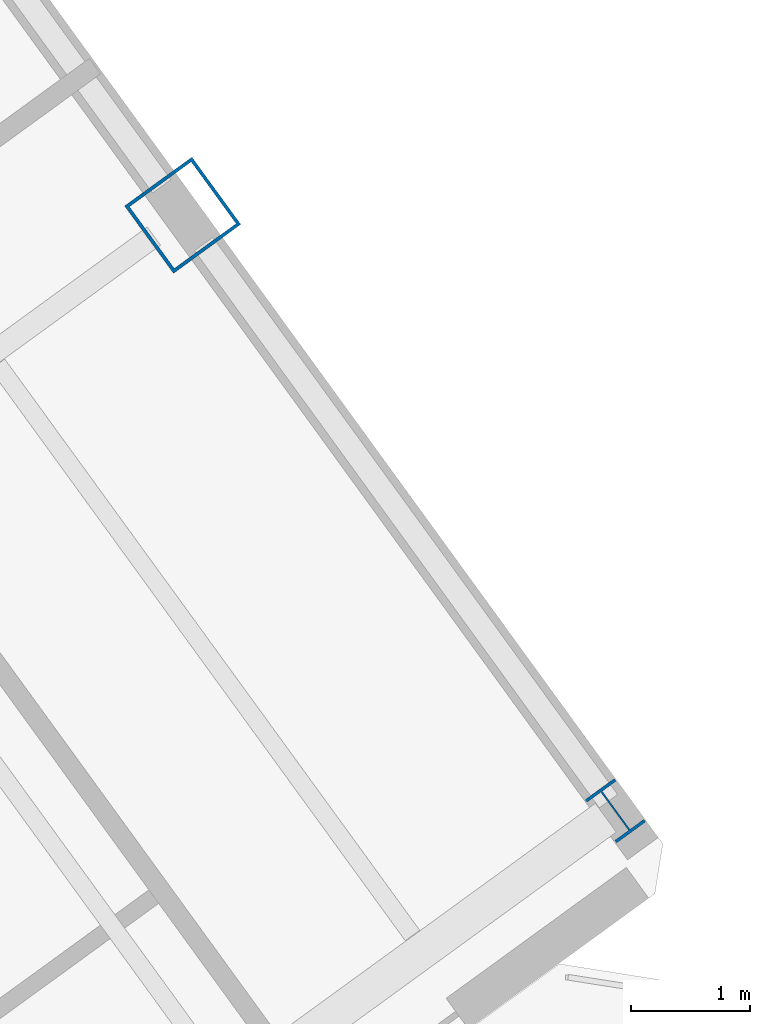
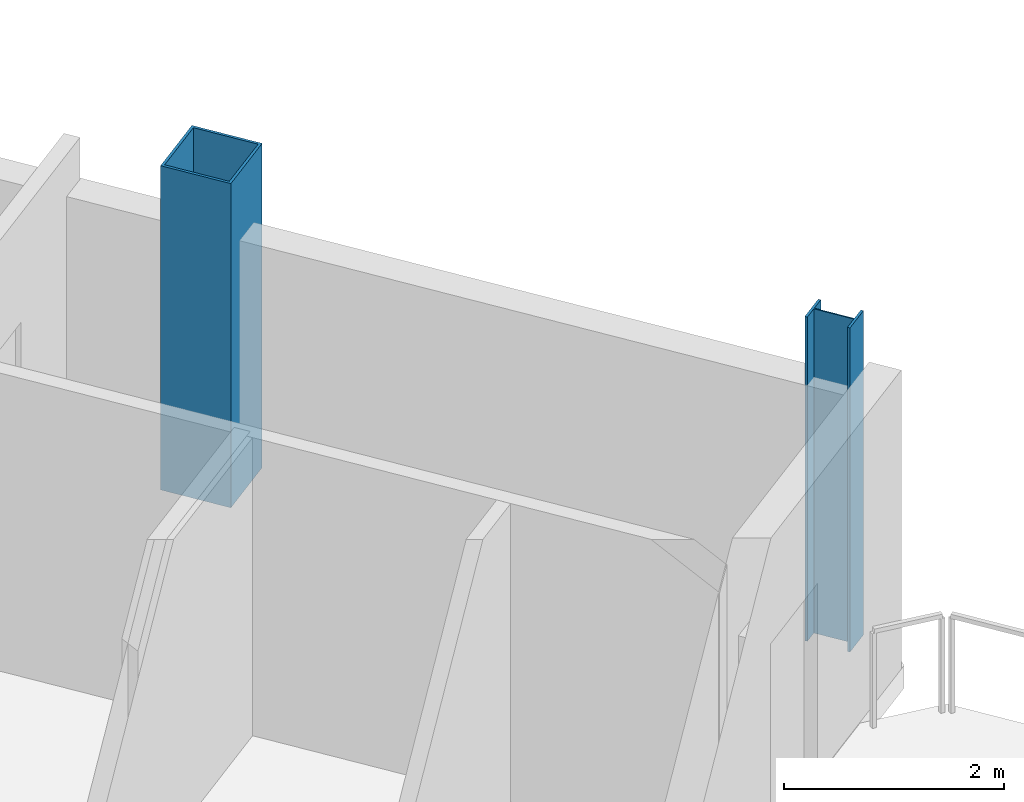
# One storey, part 4 of 25: 2 columns.
"""IFC4 building model written with IfcOpenShell, lengths in metres."""

import ifcopenshell
import ifcopenshell.guid

model = None  # the IFC model being written
_history = None  # IfcOwnerHistory: only IFC2X3 demands one
_inside = {}  # id of a spatial element -> (the spatial element, [elements in it])
_under = {}  # id of a project, library or spatial element -> (it, [spatial elements below it])
_declared = {}  # id of a project -> (the project, [libraries it declares])
_typed = {}  # id of a type object -> (the type object, [elements of that type])
_made_of = {}  # id of a material, layer set ... -> (it, [elements and type objects made of it])


def new_model(schema):
    """Start an empty IFC model of exactly this schema.

    Asked for "IFC4X3", IfcOpenShell would pick the latest addendum, in which some entities
    have other attributes; the version numbers below select the first issue.
    IFC2X3 requires an IfcOwnerHistory on every rooted entity: one is made here for all.
    """
    global model, _history
    if schema == "IFC4X3":
        model = ifcopenshell.file(schema_version=(4, 3, 0, 0))
    else:
        model = ifcopenshell.file(schema=schema)
    _inside.clear()
    _under.clear()
    _declared.clear()
    _typed.clear()
    _made_of.clear()
    _history = None
    if model.schema == "IFC2X3":
        org = make("IfcOrganization", Name="unknown")
        user = make(
            "IfcPersonAndOrganization",
            ThePerson=make("IfcPerson", FamilyName="unknown"),
            TheOrganization=org,
        )
        app = make(
            "IfcApplication",
            ApplicationDeveloper=org,
            Version="unknown",
            ApplicationFullName="unknown",
            ApplicationIdentifier="unknown",
        )
        _history = make(
            "IfcOwnerHistory",
            OwningUser=user,
            OwningApplication=app,
            ChangeAction="ADDED",
            CreationDate=0,
        )
    return model


def make(cls, **values):
    """One entity of the class cls with the attributes given. An attribute that is None is left unset."""
    return model.create_entity(
        cls, **{name: value for name, value in values.items() if value is not None}
    )


def rooted(cls, **values):
    """An entity with a GlobalId (a new one), such as an element, a storey or a relation."""
    return make(cls, GlobalId=ifcopenshell.guid.new(), OwnerHistory=_history, **values)


def si_unit(unit_type, name, prefix=None):
    """IfcSIUnit, for example si_unit("LENGTHUNIT", "METRE", prefix="MILLI")."""
    return make("IfcSIUnit", UnitType=unit_type, Prefix=prefix, Name=name)


def assignment(units):
    """IfcUnitAssignment: the units of a project."""
    return None if units is None else make("IfcUnitAssignment", Units=units)


def point(xyz):
    """IfcCartesianPoint."""
    return None if xyz is None else make("IfcCartesianPoint", Coordinates=xyz)


def direction(xyz):
    """IfcDirection."""
    return None if xyz is None else make("IfcDirection", DirectionRatios=xyz)


def frame(location, z_axis=None, x_axis=None):
    """IfcAxis2Placement3D, a coordinate frame: its origin and axes. An axis left out is left unset."""
    return make(
        "IfcAxis2Placement3D",
        Location=point(location),
        Axis=direction(z_axis),
        RefDirection=direction(x_axis),
    )


def frame_2d(location, x_axis=None):
    """IfcAxis2Placement2D, a coordinate frame in the plane: its origin and x axis."""
    return make(
        "IfcAxis2Placement2D", Location=point(location), RefDirection=direction(x_axis)
    )


def origin():
    """The frame at (0, 0, 0) with its axes left unset."""
    return frame((0.0, 0.0, 0.0))


def origin_2d():
    """The frame at (0, 0) in the plane with its x axis left unset."""
    return frame_2d((0.0, 0.0))


def place(relative_to, where):
    """IfcLocalPlacement: puts the frame where relative to a parent placement (None: the world)."""
    return make(
        "IfcLocalPlacement", PlacementRelTo=relative_to, RelativePlacement=where
    )


def context(
    kind, dimensions, precision=None, world=None, true_north=None, identifier=None
):
    """IfcGeometricRepresentationContext, for example the 3D "Model" context."""
    return make(
        "IfcGeometricRepresentationContext",
        ContextIdentifier=identifier,
        ContextType=kind,
        CoordinateSpaceDimension=dimensions,
        Precision=precision,
        WorldCoordinateSystem=world,
        TrueNorth=true_north,
    )


def subcontext(parent, identifier, kind, view, scale=None):
    """IfcGeometricRepresentationSubContext, for example "Body" below "Model"."""
    return make(
        "IfcGeometricRepresentationSubContext",
        ContextIdentifier=identifier,
        ContextType=kind,
        ParentContext=parent,
        TargetScale=scale,
        TargetView=view,
    )


def project(units=None, contexts=None):
    """IfcProject with its units and contexts."""
    return rooted(
        "IfcProject",
        Name="project",
        RepresentationContexts=contexts,
        UnitsInContext=assignment(units),
    )


def spatial(cls, under=None, at=None, **own):
    """A site, building, storey or space (cls), placed at a placement, below another one or the project."""
    s = rooted(cls, ObjectPlacement=at, **own)
    if under is not None:
        _under.setdefault(under.id(), (under, []))[1].append(s)
    return s


def profile(cls, at=None, kind="AREA", **sizes):
    """A parametric profile (cls). Its sizes go by their IFC names, for example OverallWidth=200.0."""
    return make(cls, ProfileType=kind, Position=at, **sizes)


def hollow_rectangle(**sizes):
    """IfcRectangleHollowProfileDef."""
    return profile("IfcRectangleHollowProfileDef", **sizes)


def i_section(**sizes):
    """IfcIShapeProfileDef."""
    return profile("IfcIShapeProfileDef", **sizes)


def extrude(swept, where, along, depth):
    """IfcExtrudedAreaSolid: the profile swept, set in the frame where, extruded along a direction by depth."""
    return make(
        "IfcExtrudedAreaSolid",
        SweptArea=swept,
        Position=where,
        ExtrudedDirection=direction(along),
        Depth=depth,
    )


def shape(context_of_items, identifier, shape_type, items):
    """IfcShapeRepresentation: the items that make up one representation, for example the "Body"."""
    return make(
        "IfcShapeRepresentation",
        ContextOfItems=context_of_items,
        RepresentationIdentifier=identifier,
        RepresentationType=shape_type,
        Items=items,
    )


def source(mapping_origin, context_of_items, identifier, shape_type, items):
    """IfcRepresentationMap: a shape defined once, which mapped items show again and again."""
    return make(
        "IfcRepresentationMap",
        MappingOrigin=mapping_origin,
        MappedRepresentation=shape(context_of_items, identifier, shape_type, items),
    )


def transform(
    local_origin,
    x_axis=None,
    y_axis=None,
    z_axis=None,
    scale=None,
    scale2=None,
    scale3=None,
    uniform=True,
):
    """IfcCartesianTransformationOperator3D, or its non-uniform kind. x_axis, y_axis, z_axis: its Axis1, 2, 3."""
    if uniform:
        return make(
            "IfcCartesianTransformationOperator3D",
            Axis1=direction(x_axis),
            Axis2=direction(y_axis),
            LocalOrigin=point(local_origin),
            Scale=scale,
            Axis3=direction(z_axis),
        )
    return make(
        "IfcCartesianTransformationOperator3DnonUniform",
        Axis1=direction(x_axis),
        Axis2=direction(y_axis),
        LocalOrigin=point(local_origin),
        Scale=scale,
        Axis3=direction(z_axis),
        Scale2=scale2,
        Scale3=scale3,
    )


def mapped(mapping_source, mapping_target):
    """IfcMappedItem: shows the shape of a source again, moved by a transform."""
    return make(
        "IfcMappedItem", MappingSource=mapping_source, MappingTarget=mapping_target
    )


def material(Name=None, Category=None):
    """IfcMaterial."""
    return make("IfcMaterial", Name=Name, Category=Category)


def material_profile(
    of_material, cross_section, Name=None, Category=None, Priority=None
):
    """IfcMaterialProfile: a cross section and its material."""
    return make(
        "IfcMaterialProfile",
        Name=Name,
        Material=of_material,
        Profile=cross_section,
        Priority=Priority,
        Category=Category,
    )


def profile_set(profiles, Name=None, composite=None):
    """IfcMaterialProfileSet."""
    return make(
        "IfcMaterialProfileSet",
        Name=Name,
        MaterialProfiles=profiles,
        CompositeProfile=composite,
    )


def made_of(thing, what):
    """Note that an element or type object is made of a material, layer set ...; save() writes the relation."""
    if what is not None:
        _made_of.setdefault(what.id(), (what, []))[1].append(thing)
    return thing


def type_object(cls, material=None, **own):
    """A type object (cls), such as IfcWallType, which elements share."""
    return made_of(rooted(cls, **own), material)


def element(
    cls,
    number,
    at=None,
    inside=None,
    cuts=None,
    type_object=None,
    material=None,
    context=None,
    identifier="Body",
    shape_type=None,
    held_by="IfcProductDefinitionShape",
    body=None,
    shapes=None,
    **own,
):
    """One element of the class cls, such as IfcWall. Its Tag is "e" and its number.

    at: its placement. inside: the storey or other place that contains it. cuts: it is an
    opening in that element (IfcRelVoidsElement). A single representation is given by context,
    identifier, shape_type and body (its items); several are given by shapes. held_by: the class
    of the entity that holds the representations. save() writes the other relations.
    """
    e = rooted(cls, Tag="e%d" % number, ObjectPlacement=at, **own)
    if body is not None:
        shapes = [shape(context, identifier, shape_type, body)]
    if shapes is not None:
        e.Representation = make(held_by, Representations=shapes)
    if inside is not None:
        _inside.setdefault(inside.id(), (inside, []))[1].append(e)
    if cuts is not None:
        rooted(
            "IfcRelVoidsElement", RelatingBuildingElement=cuts, RelatedOpeningElement=e
        )
    if type_object is not None:
        _typed.setdefault(type_object.id(), (type_object, []))[1].append(e)
    return made_of(e, material)


def aggregate(whole, parts):
    """IfcRelAggregates: a whole, such as a stair, and the parts it consists of."""
    return rooted("IfcRelAggregates", RelatingObject=whole, RelatedObjects=parts)


def save(model, path):
    """Write the relations noted so far, then the file.

    IfcRelAggregates (storeys below a building ...), IfcRelContainedInSpatialStructure (elements
    in a storey), IfcRelDefinesByType, IfcRelAssociatesMaterial and IfcRelDeclares: one each for
    every whole, place, type object, material and project.
    """
    for whole, parts in _under.values():
        aggregate(whole, parts)
    for where, things in _inside.values():
        rooted(
            "IfcRelContainedInSpatialStructure",
            RelatedElements=things,
            RelatingStructure=where,
        )
    for kind, things in _typed.values():
        rooted("IfcRelDefinesByType", RelatedObjects=things, RelatingType=kind)
    for what, things in _made_of.values():
        rooted("IfcRelAssociatesMaterial", RelatedObjects=things, RelatingMaterial=what)
    for by, libraries in _declared.values():
        rooted("IfcRelDeclares", RelatingContext=by, RelatedDefinitions=libraries)
    model.write(path)


model = new_model("IFC4")

# Units and contexts
model_context = context("Model", 3, precision=1e-05, world=origin(), true_north=direction((0.0, 1.0)))
body_context = subcontext(model_context, "Body", "Model", "MODEL_VIEW")
ifc_project = project(units=[si_unit("LENGTHUNIT", "METRE"), si_unit("AREAUNIT", "SQUARE_METRE"), si_unit("VOLUMEUNIT", "CUBIC_METRE"), si_unit("PLANEANGLEUNIT", "RADIAN"), si_unit("MASSUNIT", "GRAM", prefix="KILO")], contexts=[model_context])

# Site, building, storey
site_placement = place(None, origin())
site = spatial("IfcSite", under=ifc_project, at=site_placement, CompositionType="ELEMENT")
building_placement = place(site_placement, origin())
building = spatial("IfcBuilding", under=site, at=building_placement, Name="Tlacorven Tower", CompositionType="ELEMENT")
storey_placement = place(building_placement, frame((0.0, 0.0, 251.10009765625)))
storey = spatial("IfcBuildingStorey", under=building, at=storey_placement, Name="L63", CompositionType="ELEMENT", Elevation=251.10009765625)

# Columns
ifc_material_1 = material(Name="Steel S355J2", Category="steel")
ifc_material_profile_1 = material_profile(ifc_material_1, i_section(OverallWidth=0.300048828125, OverallDepth=0.449951171875, WebThickness=0.013916015625, FlangeThickness=0.02587890625, at=origin_2d()), Name="HEB 450")
ifc_profile_set_1 = profile_set([ifc_material_profile_1], Name="Steel S355J2")
column_type_1 = type_object("IfcColumnType", Name="COL-TWR-P3", PredefinedType="COLUMN", material=ifc_profile_set_1)
shared_shape_1 = source(origin(), body_context, "Body", "SweptSolid", [
    extrude(i_section(OverallWidth=0.300048828125, OverallDepth=0.449951171875, WebThickness=0.013916015625, FlangeThickness=0.02587890625, at=origin_2d()), origin(), (0.0, 0.0, 1.0), 3.599853515625),
])
column_1_placement = place(storey_placement, frame((70.911865234375, 18.337646484375, 0.0), z_axis=(0.0, 0.0, 1.0), x_axis=(0.809016994375, 0.587785252292, 0.0)))
element("IfcColumn", 1, at=column_1_placement, inside=storey, type_object=column_type_1, Name="L63 column COL-L63-E4-1", PredefinedType="COLUMN", context=body_context, shape_type="MappedRepresentation", body=[
    mapped(shared_shape_1, transform((0.0, 0.0, 0.0), scale=1.0)),
])
ifc_material_2 = material(Name="Steel S460M", Category="steel")
ifc_material_profile_2 = material_profile(ifc_material_2, hollow_rectangle(XDim=0.699951171875, YDim=0.699951171875, WallThickness=0.028076171875, at=origin_2d()), Name="BOX 700X700X28")
ifc_profile_set_2 = profile_set([ifc_material_profile_2], Name="Steel S460M")
column_type_2 = type_object("IfcColumnType", Name="COL-TWR-S4", PredefinedType="COLUMN", material=ifc_profile_set_2)
shared_shape_2 = source(origin(), body_context, "Body", "SweptSolid", [
    extrude(hollow_rectangle(XDim=0.699951171875, YDim=0.699951171875, WallThickness=0.028076171875, at=origin_2d()), origin(), (0.0, 0.0, 1.0), 3.599853515625),
])
column_2_placement = place(storey_placement, frame((67.267822265625, 23.353515625, 0.0), z_axis=(0.0, 0.0, 1.0), x_axis=(0.809016994375, 0.587785252292, 0.0)))
element("IfcColumn", 2, at=column_2_placement, inside=storey, type_object=column_type_2, Name="L63 column COL-L63-E4-2", PredefinedType="COLUMN", context=body_context, shape_type="MappedRepresentation", body=[
    mapped(shared_shape_2, transform((0.0, 0.0, 0.0), scale=1.0)),
])

save(model, "model.ifc")
